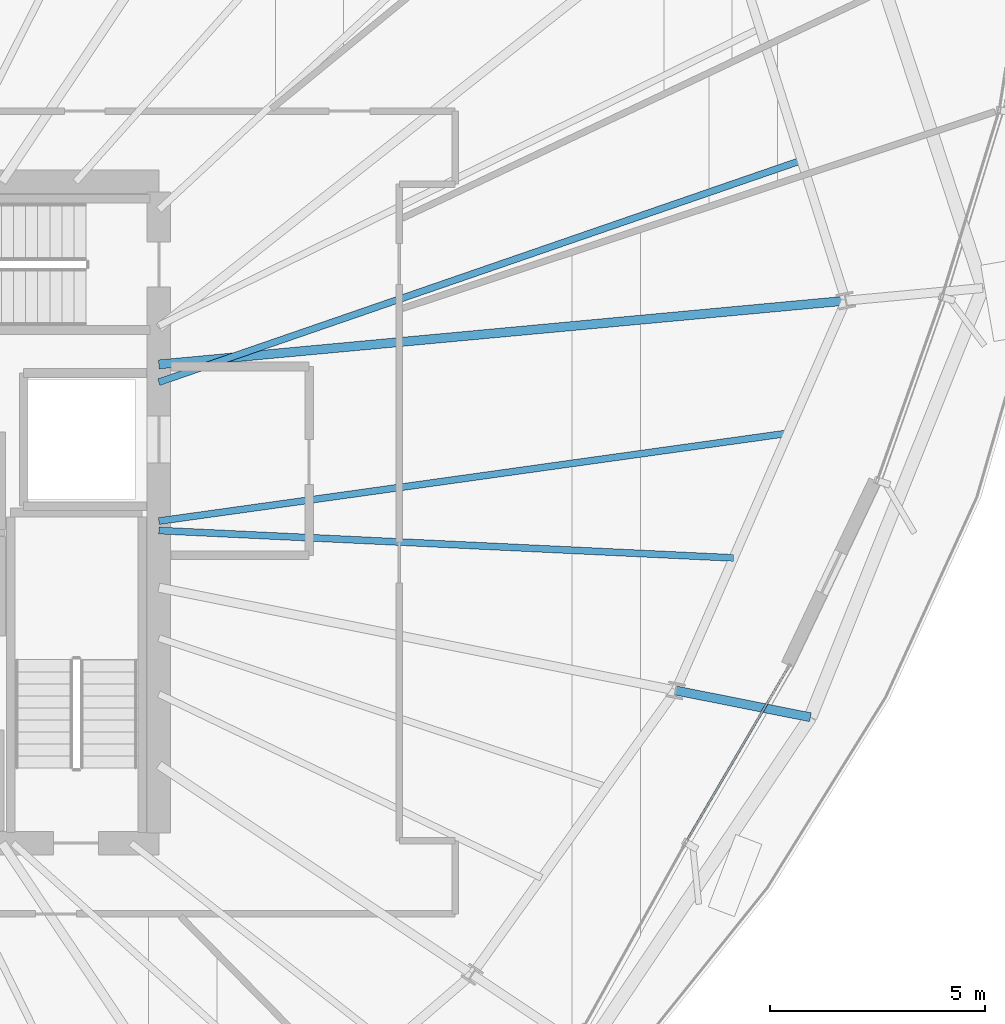
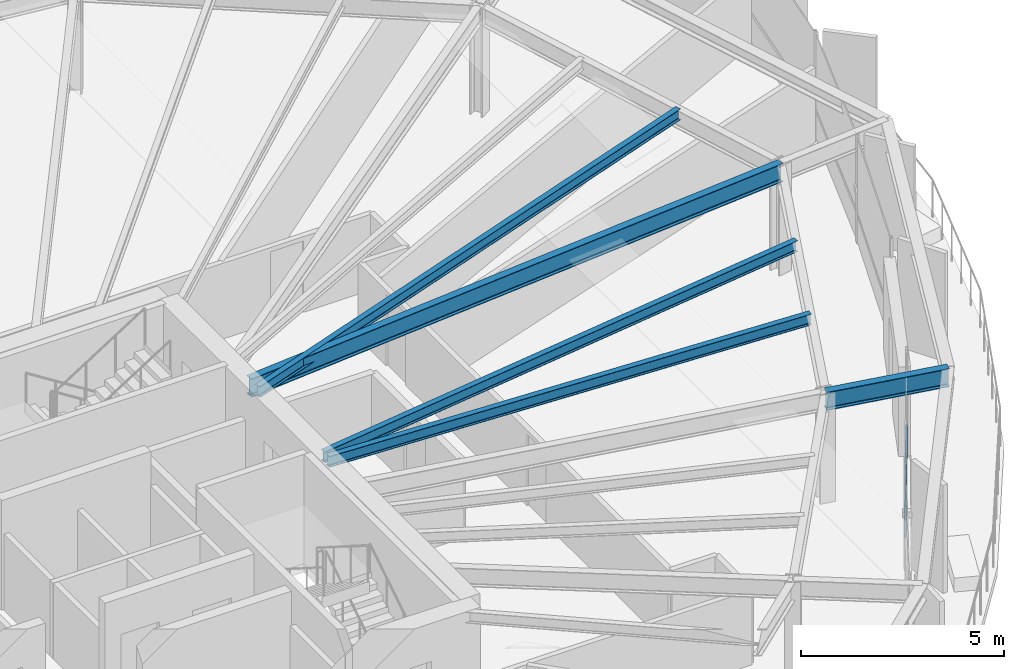
# One storey, part 18 of 36: 5 beams, 1 member, 1 element without a shape of its own.
"""IFC4 building model written with IfcOpenShell, lengths in metres."""

import ifcopenshell
import ifcopenshell.guid

model = None  # the IFC model being written
_history = None  # IfcOwnerHistory: only IFC2X3 demands one
_inside = {}  # id of a spatial element -> (the spatial element, [elements in it])
_under = {}  # id of a project, library or spatial element -> (it, [spatial elements below it])
_declared = {}  # id of a project -> (the project, [libraries it declares])
_typed = {}  # id of a type object -> (the type object, [elements of that type])
_made_of = {}  # id of a material, layer set ... -> (it, [elements and type objects made of it])


def new_model(schema):
    """Start an empty IFC model of exactly this schema.

    Asked for "IFC4X3", IfcOpenShell would pick the latest addendum, in which some entities
    have other attributes; the version numbers below select the first issue.
    IFC2X3 requires an IfcOwnerHistory on every rooted entity: one is made here for all.
    """
    global model, _history
    if schema == "IFC4X3":
        model = ifcopenshell.file(schema_version=(4, 3, 0, 0))
    else:
        model = ifcopenshell.file(schema=schema)
    _inside.clear()
    _under.clear()
    _declared.clear()
    _typed.clear()
    _made_of.clear()
    _history = None
    if model.schema == "IFC2X3":
        org = make("IfcOrganization", Name="unknown")
        user = make(
            "IfcPersonAndOrganization",
            ThePerson=make("IfcPerson", FamilyName="unknown"),
            TheOrganization=org,
        )
        app = make(
            "IfcApplication",
            ApplicationDeveloper=org,
            Version="unknown",
            ApplicationFullName="unknown",
            ApplicationIdentifier="unknown",
        )
        _history = make(
            "IfcOwnerHistory",
            OwningUser=user,
            OwningApplication=app,
            ChangeAction="ADDED",
            CreationDate=0,
        )
    return model


def make(cls, **values):
    """One entity of the class cls with the attributes given. An attribute that is None is left unset."""
    return model.create_entity(
        cls, **{name: value for name, value in values.items() if value is not None}
    )


def rooted(cls, **values):
    """An entity with a GlobalId (a new one), such as an element, a storey or a relation."""
    return make(cls, GlobalId=ifcopenshell.guid.new(), OwnerHistory=_history, **values)


def si_unit(unit_type, name, prefix=None):
    """IfcSIUnit, for example si_unit("LENGTHUNIT", "METRE", prefix="MILLI")."""
    return make("IfcSIUnit", UnitType=unit_type, Prefix=prefix, Name=name)


def assignment(units):
    """IfcUnitAssignment: the units of a project."""
    return None if units is None else make("IfcUnitAssignment", Units=units)


def point(xyz):
    """IfcCartesianPoint."""
    return None if xyz is None else make("IfcCartesianPoint", Coordinates=xyz)


def direction(xyz):
    """IfcDirection."""
    return None if xyz is None else make("IfcDirection", DirectionRatios=xyz)


def frame(location, z_axis=None, x_axis=None):
    """IfcAxis2Placement3D, a coordinate frame: its origin and axes. An axis left out is left unset."""
    return make(
        "IfcAxis2Placement3D",
        Location=point(location),
        Axis=direction(z_axis),
        RefDirection=direction(x_axis),
    )


def frame_2d(location, x_axis=None):
    """IfcAxis2Placement2D, a coordinate frame in the plane: its origin and x axis."""
    return make(
        "IfcAxis2Placement2D", Location=point(location), RefDirection=direction(x_axis)
    )


def origin():
    """The frame at (0, 0, 0) with its axes left unset."""
    return frame((0.0, 0.0, 0.0))


def origin_2d():
    """The frame at (0, 0) in the plane with its x axis left unset."""
    return frame_2d((0.0, 0.0))


def place(relative_to, where):
    """IfcLocalPlacement: puts the frame where relative to a parent placement (None: the world)."""
    return make(
        "IfcLocalPlacement", PlacementRelTo=relative_to, RelativePlacement=where
    )


def context(
    kind, dimensions, precision=None, world=None, true_north=None, identifier=None
):
    """IfcGeometricRepresentationContext, for example the 3D "Model" context."""
    return make(
        "IfcGeometricRepresentationContext",
        ContextIdentifier=identifier,
        ContextType=kind,
        CoordinateSpaceDimension=dimensions,
        Precision=precision,
        WorldCoordinateSystem=world,
        TrueNorth=true_north,
    )


def subcontext(parent, identifier, kind, view, scale=None):
    """IfcGeometricRepresentationSubContext, for example "Body" below "Model"."""
    return make(
        "IfcGeometricRepresentationSubContext",
        ContextIdentifier=identifier,
        ContextType=kind,
        ParentContext=parent,
        TargetScale=scale,
        TargetView=view,
    )


def project(units=None, contexts=None):
    """IfcProject with its units and contexts."""
    return rooted(
        "IfcProject",
        Name="project",
        RepresentationContexts=contexts,
        UnitsInContext=assignment(units),
    )


def spatial(cls, under=None, at=None, **own):
    """A site, building, storey or space (cls), placed at a placement, below another one or the project."""
    s = rooted(cls, ObjectPlacement=at, **own)
    if under is not None:
        _under.setdefault(under.id(), (under, []))[1].append(s)
    return s


def profile(cls, at=None, kind="AREA", **sizes):
    """A parametric profile (cls). Its sizes go by their IFC names, for example OverallWidth=200.0."""
    return make(cls, ProfileType=kind, Position=at, **sizes)


def hollow_rectangle(**sizes):
    """IfcRectangleHollowProfileDef."""
    return profile("IfcRectangleHollowProfileDef", **sizes)


def i_section(**sizes):
    """IfcIShapeProfileDef."""
    return profile("IfcIShapeProfileDef", **sizes)


def extrude(swept, where, along, depth):
    """IfcExtrudedAreaSolid: the profile swept, set in the frame where, extruded along a direction by depth."""
    return make(
        "IfcExtrudedAreaSolid",
        SweptArea=swept,
        Position=where,
        ExtrudedDirection=direction(along),
        Depth=depth,
    )


def shape(context_of_items, identifier, shape_type, items):
    """IfcShapeRepresentation: the items that make up one representation, for example the "Body"."""
    return make(
        "IfcShapeRepresentation",
        ContextOfItems=context_of_items,
        RepresentationIdentifier=identifier,
        RepresentationType=shape_type,
        Items=items,
    )


def source(mapping_origin, context_of_items, identifier, shape_type, items):
    """IfcRepresentationMap: a shape defined once, which mapped items show again and again."""
    return make(
        "IfcRepresentationMap",
        MappingOrigin=mapping_origin,
        MappedRepresentation=shape(context_of_items, identifier, shape_type, items),
    )


def transform(
    local_origin,
    x_axis=None,
    y_axis=None,
    z_axis=None,
    scale=None,
    scale2=None,
    scale3=None,
    uniform=True,
):
    """IfcCartesianTransformationOperator3D, or its non-uniform kind. x_axis, y_axis, z_axis: its Axis1, 2, 3."""
    if uniform:
        return make(
            "IfcCartesianTransformationOperator3D",
            Axis1=direction(x_axis),
            Axis2=direction(y_axis),
            LocalOrigin=point(local_origin),
            Scale=scale,
            Axis3=direction(z_axis),
        )
    return make(
        "IfcCartesianTransformationOperator3DnonUniform",
        Axis1=direction(x_axis),
        Axis2=direction(y_axis),
        LocalOrigin=point(local_origin),
        Scale=scale,
        Axis3=direction(z_axis),
        Scale2=scale2,
        Scale3=scale3,
    )


def mapped(mapping_source, mapping_target):
    """IfcMappedItem: shows the shape of a source again, moved by a transform."""
    return make(
        "IfcMappedItem", MappingSource=mapping_source, MappingTarget=mapping_target
    )


def material(Name=None, Category=None):
    """IfcMaterial."""
    return make("IfcMaterial", Name=Name, Category=Category)


def layer(
    of_material, thickness, ventilated=None, Name=None, Category=None, Priority=None
):
    """IfcMaterialLayer: one layer of a wall or slab, of a material (None: an air gap)."""
    return make(
        "IfcMaterialLayer",
        Material=of_material,
        LayerThickness=thickness,
        IsVentilated=ventilated,
        Name=Name,
        Category=Category,
        Priority=Priority,
    )


def layer_set(layers, Name=None):
    """IfcMaterialLayerSet."""
    return make("IfcMaterialLayerSet", MaterialLayers=layers, LayerSetName=Name)


def material_profile(
    of_material, cross_section, Name=None, Category=None, Priority=None
):
    """IfcMaterialProfile: a cross section and its material."""
    return make(
        "IfcMaterialProfile",
        Name=Name,
        Material=of_material,
        Profile=cross_section,
        Priority=Priority,
        Category=Category,
    )


def profile_set(profiles, Name=None, composite=None):
    """IfcMaterialProfileSet."""
    return make(
        "IfcMaterialProfileSet",
        Name=Name,
        MaterialProfiles=profiles,
        CompositeProfile=composite,
    )


def made_of(thing, what):
    """Note that an element or type object is made of a material, layer set ...; save() writes the relation."""
    if what is not None:
        _made_of.setdefault(what.id(), (what, []))[1].append(thing)
    return thing


def type_object(cls, material=None, **own):
    """A type object (cls), such as IfcWallType, which elements share."""
    return made_of(rooted(cls, **own), material)


def element(
    cls,
    number,
    at=None,
    inside=None,
    cuts=None,
    type_object=None,
    material=None,
    context=None,
    identifier="Body",
    shape_type=None,
    held_by="IfcProductDefinitionShape",
    body=None,
    shapes=None,
    **own,
):
    """One element of the class cls, such as IfcWall. Its Tag is "e" and its number.

    at: its placement. inside: the storey or other place that contains it. cuts: it is an
    opening in that element (IfcRelVoidsElement). A single representation is given by context,
    identifier, shape_type and body (its items); several are given by shapes. held_by: the class
    of the entity that holds the representations. save() writes the other relations.
    """
    e = rooted(cls, Tag="e%d" % number, ObjectPlacement=at, **own)
    if body is not None:
        shapes = [shape(context, identifier, shape_type, body)]
    if shapes is not None:
        e.Representation = make(held_by, Representations=shapes)
    if inside is not None:
        _inside.setdefault(inside.id(), (inside, []))[1].append(e)
    if cuts is not None:
        rooted(
            "IfcRelVoidsElement", RelatingBuildingElement=cuts, RelatedOpeningElement=e
        )
    if type_object is not None:
        _typed.setdefault(type_object.id(), (type_object, []))[1].append(e)
    return made_of(e, material)


def aggregate(whole, parts):
    """IfcRelAggregates: a whole, such as a stair, and the parts it consists of."""
    return rooted("IfcRelAggregates", RelatingObject=whole, RelatedObjects=parts)


def save(model, path):
    """Write the relations noted so far, then the file.

    IfcRelAggregates (storeys below a building ...), IfcRelContainedInSpatialStructure (elements
    in a storey), IfcRelDefinesByType, IfcRelAssociatesMaterial and IfcRelDeclares: one each for
    every whole, place, type object, material and project.
    """
    for whole, parts in _under.values():
        aggregate(whole, parts)
    for where, things in _inside.values():
        rooted(
            "IfcRelContainedInSpatialStructure",
            RelatedElements=things,
            RelatingStructure=where,
        )
    for kind, things in _typed.values():
        rooted("IfcRelDefinesByType", RelatedObjects=things, RelatingType=kind)
    for what, things in _made_of.values():
        rooted("IfcRelAssociatesMaterial", RelatedObjects=things, RelatingMaterial=what)
    for by, libraries in _declared.values():
        rooted("IfcRelDeclares", RelatingContext=by, RelatedDefinitions=libraries)
    model.write(path)


model = new_model("IFC4")

# Units and contexts
model_context = context("Model", 3, precision=1e-05, world=origin(), true_north=direction((0.0, 1.0)))
body_context = subcontext(model_context, "Body", "Model", "MODEL_VIEW")
ifc_project = project(units=[si_unit("LENGTHUNIT", "METRE"), si_unit("AREAUNIT", "SQUARE_METRE"), si_unit("VOLUMEUNIT", "CUBIC_METRE"), si_unit("PLANEANGLEUNIT", "RADIAN"), si_unit("MASSUNIT", "GRAM", prefix="KILO"), si_unit("THERMODYNAMICTEMPERATUREUNIT", "KELVIN")], contexts=[model_context])

# Site, building, storey
site_placement = place(None, origin())
site = spatial("IfcSite", under=ifc_project, at=site_placement, CompositionType="ELEMENT")
building_placement = place(site_placement, origin())
building = spatial("IfcBuilding", under=site, at=building_placement, Name="Kethvar Cultural Tower", CompositionType="ELEMENT")
storey_placement = place(building_placement, frame((0.0, 0.0, 164.300048828125)))
storey = spatial("IfcBuildingStorey", under=building, at=storey_placement, Name="L42", CompositionType="ELEMENT", Elevation=164.300048828125)

# Beams
ifc_material_1 = material(Name="Steel S355J2", Category="steel")
ifc_material_profile_1 = material_profile(ifc_material_1, i_section(OverallWidth=0.2099609375, OverallDepth=0.550048828125, WebThickness=0.010986328125, FlangeThickness=0.01708984375, FilletRadius=0.02392578125, at=origin_2d()), Name="Steel S355J2 — IPE550")
ifc_profile_set_1 = profile_set([ifc_material_profile_1], Name="Steel S355J2 — IPE550")
beam_type_1 = type_object("IfcBeamType", Name="BM-IPE550", PredefinedType="BEAM", material=ifc_profile_set_1)
shared_shape_1 = source(origin(), body_context, "Body", "SweptSolid", [
    extrude(i_section(OverallWidth=0.2099609375, OverallDepth=0.550048828125, WebThickness=0.010986328125, FlangeThickness=0.01708984375, FilletRadius=0.02392578125, at=origin_2d()), origin(), (0.0, 0.0, 1.0), 16.071044921875),
])
beam_1_placement = place(storey_placement, frame((55.60009765625, 31.25, 3.02294921875), z_axis=(0.995731009363, 0.092302529718, 0.0), x_axis=(-0.092302529718, 0.995731009363, 0.0)))
element("IfcBeam", 1, at=beam_1_placement, inside=storey, type_object=beam_type_1, Name="L42 Primary Radial Beam RB-01", PredefinedType="BEAM", context=body_context, shape_type="MappedRepresentation", body=[
    mapped(shared_shape_1, transform((0.0, 0.0, 0.0), scale=1.0)),
])
shared_shape_2 = source(origin(), body_context, "Body", "SweptSolid", [
    extrude(i_section(OverallWidth=0.2099609375, OverallDepth=0.550048828125, WebThickness=0.010986328125, FlangeThickness=0.01708984375, FilletRadius=0.02392578125, at=origin_2d()), origin(), (0.0, 0.0, 1.0), 3.199951171875),
])
beam_2_placement = place(storey_placement, frame((67.638671875, 23.65478515625, 3.02294921875), z_axis=(0.980785550224, -0.195088965533, 0.0), x_axis=(0.195088965533, 0.980785550224, 0.0)))
element("IfcBeam", 2, at=beam_2_placement, inside=storey, type_object=beam_type_1, Name="L42 Perimeter Cantilever Beam RC-16", PredefinedType="BEAM", context=body_context, shape_type="MappedRepresentation", body=[
    mapped(shared_shape_2, transform((0.0, 0.0, 0.0), scale=1.0)),
])
ifc_material_profile_2 = material_profile(ifc_material_1, i_section(OverallWidth=0.159912109375, OverallDepth=0.330078125, WebThickness=0.007568359375, FlangeThickness=0.011474609375, FilletRadius=0.01806640625, at=origin_2d()), Name="Steel S355J2 — IPE330")
ifc_profile_set_2 = profile_set([ifc_material_profile_2], Name="Steel S355J2 — IPE330")
beam_type_2 = type_object("IfcBeamType", Name="BM-J330", PredefinedType="JOIST", material=ifc_profile_set_2)
shared_shape_3 = source(origin(), body_context, "Body", "SweptSolid", [
    extrude(i_section(OverallWidth=0.159912109375, OverallDepth=0.330078125, WebThickness=0.007568359375, FlangeThickness=0.011474609375, FilletRadius=0.01806640625, at=origin_2d()), origin(), (0.0, 0.0, 1.0), 15.836669921875),
])
beam_3_placement = place(storey_placement, frame((55.60009765625, 30.836181640625, 3.133056640625), z_axis=(0.945315135904, 0.326158387644, 0.0), x_axis=(-0.326158387644, 0.945315135904, 0.0)))
element("IfcBeam", 3, at=beam_3_placement, inside=storey, type_object=beam_type_2, Name="L42 Composite Floor Joist J-01A", PredefinedType="JOIST", context=body_context, shape_type="MappedRepresentation", body=[
    mapped(shared_shape_3, transform((0.0, 0.0, 0.0), scale=1.0)),
])
shared_shape_4 = source(origin(), body_context, "Body", "SweptSolid", [
    extrude(i_section(OverallWidth=0.159912109375, OverallDepth=0.330078125, WebThickness=0.007568359375, FlangeThickness=0.011474609375, FilletRadius=0.01806640625, at=origin_2d()), origin(), (0.0, 0.0, 1.0), 13.4013671875),
])
beam_4_placement = place(storey_placement, frame((55.60009765625, 27.380126953125, 3.133056640625), z_axis=(0.998864631653, -0.047638719894, 0.0), x_axis=(0.047638719894, 0.998864631653, 0.0)))
element("IfcBeam", 4, at=beam_4_placement, inside=storey, type_object=beam_type_2, Name="L42 Composite Floor Joist J-16A", PredefinedType="JOIST", context=body_context, shape_type="MappedRepresentation", body=[
    mapped(shared_shape_4, transform((0.0, 0.0, 0.0), scale=1.0)),
])
shared_shape_5 = source(origin(), body_context, "Body", "SweptSolid", [
    extrude(i_section(OverallWidth=0.159912109375, OverallDepth=0.330078125, WebThickness=0.007568359375, FlangeThickness=0.011474609375, FilletRadius=0.01806640625, at=origin_2d()), origin(), (0.0, 0.0, 1.0), 14.797119140625),
])
beam_5_placement = place(storey_placement, frame((55.60009765625, 27.60009765625, 3.133056640625), z_axis=(0.990388450305, 0.138313836986, 0.0), x_axis=(-0.138313836986, 0.990388450305, 0.0)))
element("IfcBeam", 5, at=beam_5_placement, inside=storey, type_object=beam_type_2, Name="L42 Composite Floor Joist J-16B", PredefinedType="JOIST", context=body_context, shape_type="MappedRepresentation", body=[
    mapped(shared_shape_5, transform((0.0, 0.0, 0.0), scale=1.0)),
])

# Curtain wall, member
ifc_material_2 = material(Name="Aluminium 6063-T6", Category="aluminium")
ifc_layer = layer(ifc_material_2, 0.179931640625, Name="Aluminium 6063-T6", Category="aluminium")
ifc_layer_set = layer_set([ifc_layer], Name="Aluminium 6063-T6 (180 mm)")
curtain_wall_type = type_object("IfcCurtainWallType", Name="CW-SYS-04-Z34", PredefinedType="NOTDEFINED", material=ifc_layer_set)
curtain_wall_placement = place(storey_placement, origin())
curtain_wall = element("IfcCurtainWall", 6, at=curtain_wall_placement, inside=storey, type_object=curtain_wall_type, Name="L42 Curtain Wall Run 06", PredefinedType="NOTDEFINED")
ifc_material_profile_3 = material_profile(ifc_material_2, hollow_rectangle(XDim=0.050048828125, YDim=0.10009765625, WallThickness=0.00390625, at=origin_2d()), Name="Aluminium 6063-T6 — RHS100x50x4")
ifc_profile_set_3 = profile_set([ifc_material_profile_3], Name="Aluminium 6063-T6 — RHS100x50x4")
member_type = type_object("IfcMemberType", Name="CW-SYS-04-Z34-TRN", PredefinedType="USERDEFINED", material=ifc_profile_set_3)
shared_shape_6 = source(origin(), body_context, "Body", "SweptSolid", [
    extrude(hollow_rectangle(XDim=0.050048828125, YDim=0.10009765625, WallThickness=0.00390625, at=origin_2d()), origin(), (0.0, 0.0, 1.0), 4.737548828125),
])
member_placement = place(storey_placement, frame((67.875, 20.1181640625, 0.949951171875), z_axis=(0.504976044953, 0.863133358192, 0.0), x_axis=(-0.863133358192, 0.504976044953, 0.0)))
member = element("IfcMember", 7, at=member_placement, type_object=member_type, Name="CW-L42-R06 Transom 1", ObjectType="TRANSOM", PredefinedType="USERDEFINED", context=body_context, shape_type="MappedRepresentation", body=[
    mapped(shared_shape_6, transform((0.0, 0.0, 0.0), scale=1.0)),
])
aggregate(curtain_wall, [member])

save(model, "model.ifc")
